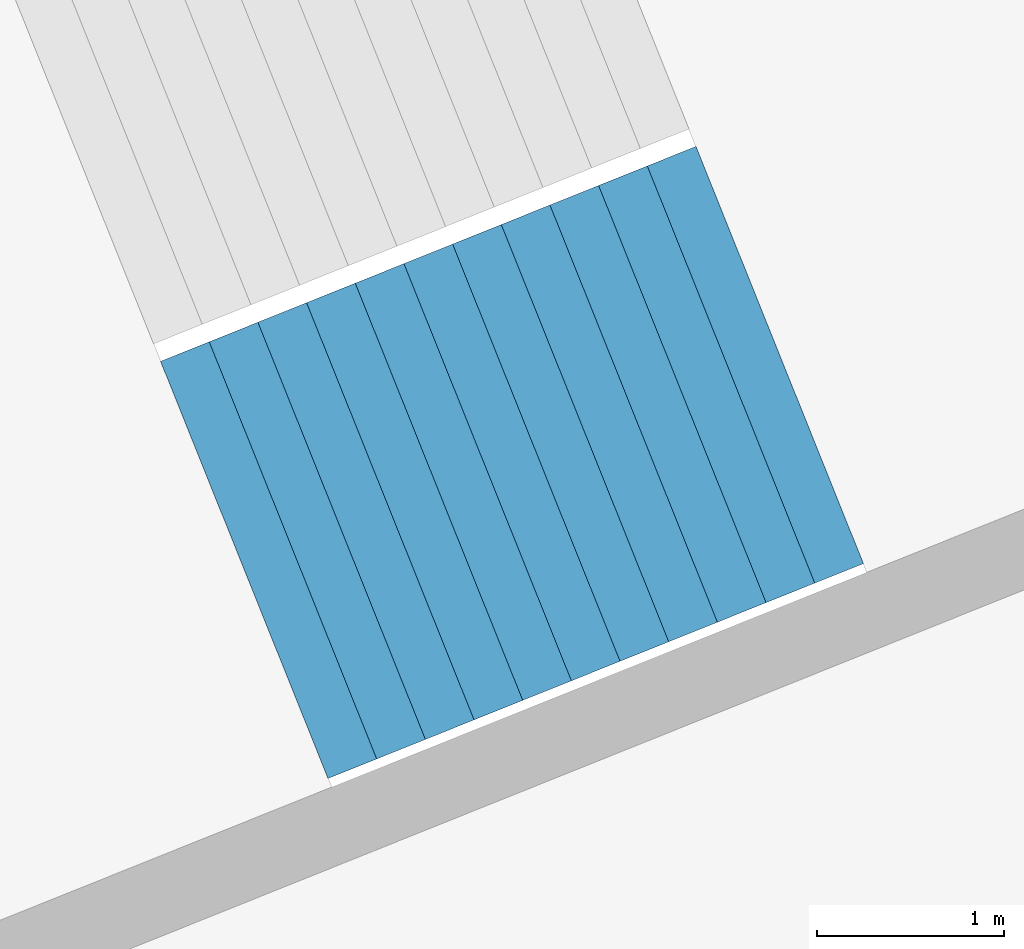
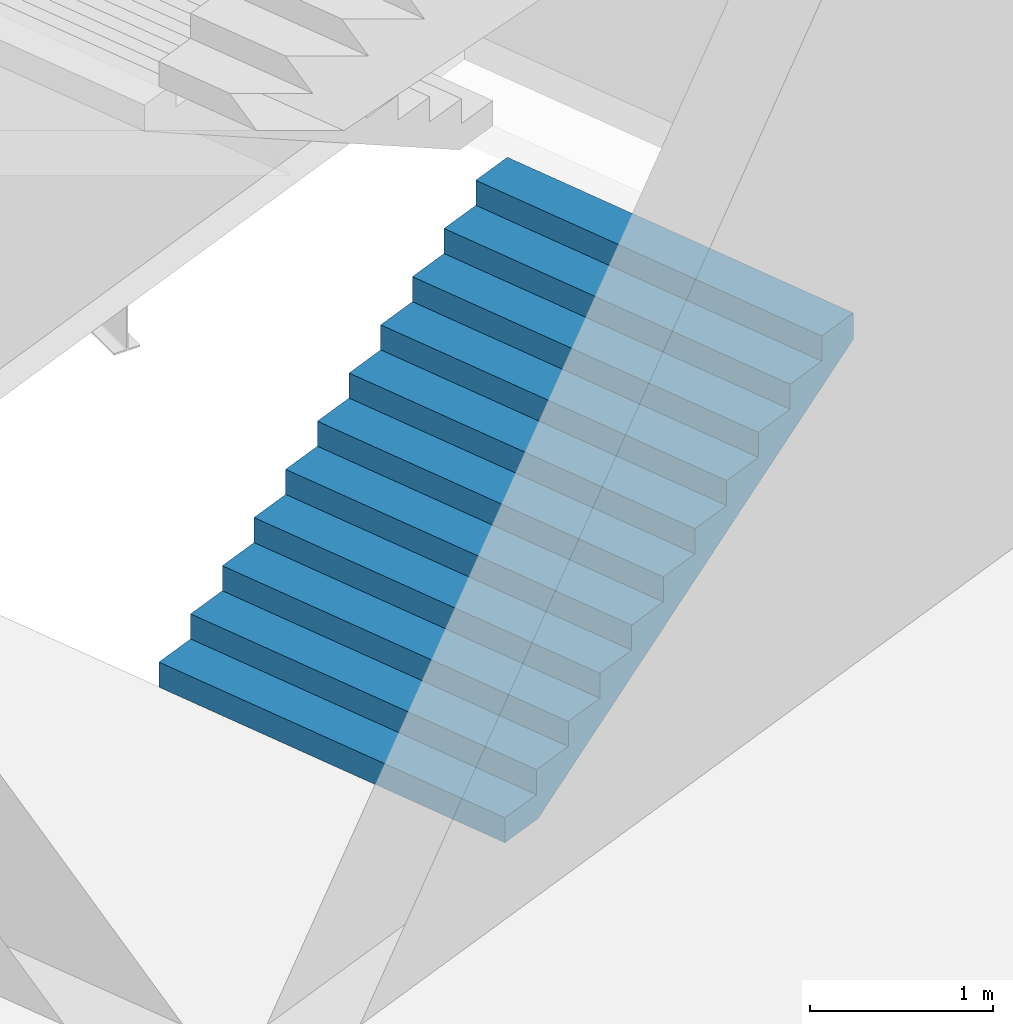
# One storey, part 66 of 74: 1 stair flight, 1 element without a shape of its own.
"""IFC4 building model written with IfcOpenShell, lengths in metres."""

from ifc_helpers import new_model, si_unit, direction, frame, origin, place, context, subcontext, project, spatial, triangles, material, type_object, element, aggregate, save


model = new_model("IFC4")

# Units and contexts
model_context = context("Model", 3, precision=1e-05, world=origin(), true_north=direction((0.0, 1.0)))
body_context = subcontext(model_context, "Body", "Model", "MODEL_VIEW")
ifc_project = project(units=[si_unit("LENGTHUNIT", "METRE"), si_unit("AREAUNIT", "SQUARE_METRE"), si_unit("VOLUMEUNIT", "CUBIC_METRE"), si_unit("PLANEANGLEUNIT", "RADIAN"), si_unit("MASSUNIT", "GRAM", prefix="KILO")], contexts=[model_context])

# Site, building, storey
site_placement = place(None, origin())
site = spatial("IfcSite", under=ifc_project, at=site_placement, CompositionType="ELEMENT")
building_placement = place(site_placement, origin())
building = spatial("IfcBuilding", under=site, at=building_placement, Name="Lantaw Convention Tower", CompositionType="ELEMENT")
storey_placement = place(building_placement, frame((0.0, 0.0, 6.5)))
storey = spatial("IfcBuildingStorey", under=building, at=storey_placement, Name="L01", CompositionType="ELEMENT", Elevation=6.5)

# Stair, stair flight
ifc_material = material(Name="Concrete C35/45", Category="concrete")
stair_type = type_object("IfcStairType", Name="Exit stair 2400 riser 166.67 in 4 flights", PredefinedType="HALF_TURN_STAIR", material=ifc_material)
stair_placement = place(storey_placement, origin())
stair = element("IfcStair", 1, at=stair_placement, inside=storey, type_object=stair_type, Name="Podium exit stair P2 L01", PredefinedType="HALF_TURN_STAIR")
stair_flight_type = type_object("IfcStairFlightType", Name="Stair flight 2400 riser 166.67", PredefinedType="STRAIGHT", material=ifc_material)
stair_flight_placement = place(storey_placement, frame((36.730712890625, 13.398193359375, 0.0), z_axis=(0.0, 0.0, 1.0), x_axis=(0.928015168305, 0.372542410198, 0.0)))
stair_flight = element("IfcStairFlight", 2, at=stair_flight_placement, type_object=stair_flight_type, Name="P2 flight 1", NumberOfRisers=12, NumberOfTreads=11, PredefinedType="STRAIGHT", RiserHeight=0.166666667, TreadLength=0.28, context=body_context, shape_type="Tessellation", body=[
    triangles([(0.0, 1.199951171875, 0.0), (0.0, 1.199951171875, 0.166666667), (0.28, 1.199951171875, 0.0), (0.28, 1.199951171875, 0.166666667), (0.28, 1.199951171875, 0.333333334), (0.29307345806906726, 1.199951171875, 0.0), (0.29307345806906726, 1.199951171875, 0.333333334), (0.56, 1.199951171875, 0.15888484670522965), (0.56, 1.199951171875, 0.333333334), (0.56, 1.199951171875, 0.500000001), (0.8400000000000001, 1.199951171875, 0.3255515137052296), (0.8400000000000001, 1.199951171875, 0.500000001), (0.8400000000000001, 1.199951171875, 0.666666668), (1.12, 1.199951171875, 0.4922181807052296), (1.12, 1.199951171875, 0.666666668), (1.12, 1.199951171875, 0.833333335), (1.4000000000000001, 1.199951171875, 0.6588848477052296), (1.4000000000000001, 1.199951171875, 0.833333335), (1.4000000000000001, 1.199951171875, 1.000000002), (1.6800000000000002, 1.199951171875, 0.8255515147052296), (1.6800000000000002, 1.199951171875, 1.000000002), (1.6800000000000002, 1.199951171875, 1.166666669), (1.9600000000000002, 1.199951171875, 0.9922181817052296), (1.9600000000000002, 1.199951171875, 1.166666669), (1.9600000000000002, 1.199951171875, 1.333333336), (2.24, 1.199951171875, 1.1588848487052295), (2.24, 1.199951171875, 1.333333336), (2.24, 1.199951171875, 1.5000000029999998), (2.5200000000000005, 1.199951171875, 1.3255515157052296), (2.5200000000000005, 1.199951171875, 1.5000000029999998), (2.5200000000000005, 1.199951171875, 1.66666667), (2.8000000000000003, 1.199951171875, 1.4922181827052294), (2.8000000000000003, 1.199951171875, 1.66666667), (2.8000000000000003, 1.199951171875, 1.833333337), (3.08, 1.199951171875, 1.6588848497052293), (3.08, 1.199951171875, 1.833333337), (0.0, -1.199951171875, 0.0), (0.0, -1.199951171875, 0.166666667), (0.28, -1.199951171875, 0.0), (0.28, -1.199951171875, 0.166666667), (0.28, -1.199951171875, 0.333333334), (0.29307345806906726, -1.199951171875, 0.0), (0.29307345806906726, -1.199951171875, 0.333333334), (0.56, -1.199951171875, 0.15888484670522965), (0.56, -1.199951171875, 0.333333334), (0.56, -1.199951171875, 0.500000001), (0.8400000000000001, -1.199951171875, 0.3255515137052296), (0.8400000000000001, -1.199951171875, 0.500000001), (0.8400000000000001, -1.199951171875, 0.666666668), (1.12, -1.199951171875, 0.4922181807052296), (1.12, -1.199951171875, 0.666666668), (1.12, -1.199951171875, 0.833333335), (1.4000000000000001, -1.199951171875, 0.6588848477052296), (1.4000000000000001, -1.199951171875, 0.833333335), (1.4000000000000001, -1.199951171875, 1.000000002), (1.6800000000000002, -1.199951171875, 0.8255515147052296), (1.6800000000000002, -1.199951171875, 1.000000002), (1.6800000000000002, -1.199951171875, 1.166666669), (1.9600000000000002, -1.199951171875, 0.9922181817052296), (1.9600000000000002, -1.199951171875, 1.166666669), (1.9600000000000002, -1.199951171875, 1.333333336), (2.24, -1.199951171875, 1.1588848487052295), (2.24, -1.199951171875, 1.333333336), (2.24, -1.199951171875, 1.5000000029999998), (2.5200000000000005, -1.199951171875, 1.3255515157052296), (2.5200000000000005, -1.199951171875, 1.5000000029999998), (2.5200000000000005, -1.199951171875, 1.66666667), (2.8000000000000003, -1.199951171875, 1.4922181827052294), (2.8000000000000003, -1.199951171875, 1.66666667), (2.8000000000000003, -1.199951171875, 1.833333337), (3.08, -1.199951171875, 1.6588848497052293), (3.08, -1.199951171875, 1.833333337), (0.0, 0.239990234375, 0.166666667), (0.0, 0.239990234375, 0.0), (0.0, 0.1199951171875, 0.166666667), (0.0, 0.1199951171875, 0.0), (0.0, 0.0, 0.166666667), (0.0, 0.0, 0.0), (0.0, -0.1199951171875, 0.166666667), (0.0, -0.1199951171875, 0.0), (0.0, -0.239990234375, 0.166666667), (0.0, -0.239990234375, 0.0), (0.28, 0.239990234375, 0.333333334), (0.28, 0.239990234375, 0.166666667), (0.28, 0.1199951171875, 0.333333334), (0.28, 0.1199951171875, 0.166666667), (0.28, 0.0, 0.333333334), (0.28, 0.0, 0.166666667), (0.28, -0.1199951171875, 0.333333334), (0.28, -0.1199951171875, 0.166666667), (0.28, -0.239990234375, 0.333333334), (0.28, -0.239990234375, 0.166666667), (0.56, 0.239990234375, 0.500000001), (0.56, 0.239990234375, 0.333333334), (0.56, 0.1199951171875, 0.500000001), (0.56, 0.1199951171875, 0.333333334), (0.56, 0.0, 0.500000001), (0.56, 0.0, 0.333333334), (0.56, -0.1199951171875, 0.500000001), (0.56, -0.1199951171875, 0.333333334), (0.56, -0.239990234375, 0.500000001), (0.56, -0.239990234375, 0.333333334), (0.8400000000000001, 0.239990234375, 0.666666668), (0.8400000000000001, 0.239990234375, 0.500000001), (0.8400000000000001, 0.1199951171875, 0.666666668), (0.8400000000000001, 0.1199951171875, 0.500000001), (0.8400000000000001, 0.0, 0.666666668), (0.8400000000000001, 0.0, 0.500000001), (0.8400000000000001, -0.1199951171875, 0.666666668), (0.8400000000000001, -0.1199951171875, 0.500000001), (0.8400000000000001, -0.239990234375, 0.666666668), (0.8400000000000001, -0.239990234375, 0.500000001), (1.12, 0.239990234375, 0.833333335), (1.12, 0.239990234375, 0.666666668), (1.12, 0.1199951171875, 0.833333335), (1.12, 0.1199951171875, 0.666666668), (1.12, 0.0, 0.833333335), (1.12, 0.0, 0.666666668), (1.12, -0.1199951171875, 0.833333335), (1.12, -0.1199951171875, 0.666666668), (1.12, -0.239990234375, 0.833333335), (1.12, -0.239990234375, 0.666666668), (1.4000000000000001, 0.239990234375, 1.000000002), (1.4000000000000001, 0.239990234375, 0.833333335), (1.4000000000000001, 0.1199951171875, 1.000000002), (1.4000000000000001, 0.1199951171875, 0.833333335), (1.4000000000000001, 0.0, 1.000000002), (1.4000000000000001, 0.0, 0.833333335), (1.4000000000000001, -0.1199951171875, 1.000000002), (1.4000000000000001, -0.1199951171875, 0.833333335), (1.4000000000000001, -0.239990234375, 1.000000002), (1.4000000000000001, -0.239990234375, 0.833333335), (1.6800000000000002, 0.239990234375, 1.166666669), (1.6800000000000002, 0.239990234375, 1.000000002), (1.6800000000000002, 0.1199951171875, 1.166666669), (1.6800000000000002, 0.1199951171875, 1.000000002), (1.6800000000000002, 0.0, 1.166666669), (1.6800000000000002, 0.0, 1.000000002), (1.6800000000000002, -0.1199951171875, 1.166666669), (1.6800000000000002, -0.1199951171875, 1.000000002), (1.6800000000000002, -0.239990234375, 1.166666669), (1.6800000000000002, -0.239990234375, 1.000000002), (1.9600000000000002, 0.239990234375, 1.333333336), (1.9600000000000002, 0.239990234375, 1.166666669), (1.9600000000000002, 0.1199951171875, 1.333333336), (1.9600000000000002, 0.1199951171875, 1.166666669), (1.9600000000000002, 0.0, 1.333333336), (1.9600000000000002, 0.0, 1.166666669), (1.9600000000000002, -0.1199951171875, 1.333333336), (1.9600000000000002, -0.1199951171875, 1.166666669), (1.9600000000000002, -0.239990234375, 1.333333336), (1.9600000000000002, -0.239990234375, 1.166666669), (2.24, 0.239990234375, 1.5000000029999998), (2.24, 0.239990234375, 1.333333336), (2.24, 0.1199951171875, 1.5000000029999998), (2.24, 0.1199951171875, 1.333333336), (2.24, 0.0, 1.5000000029999998), (2.24, 0.0, 1.333333336), (2.24, -0.1199951171875, 1.5000000029999998), (2.24, -0.1199951171875, 1.333333336), (2.24, -0.239990234375, 1.5000000029999998), (2.24, -0.239990234375, 1.333333336), (2.5200000000000005, 0.239990234375, 1.66666667), (2.5200000000000005, 0.239990234375, 1.5000000029999998), (2.5200000000000005, 0.1199951171875, 1.66666667), (2.5200000000000005, 0.1199951171875, 1.5000000029999998), (2.5200000000000005, 0.0, 1.66666667), (2.5200000000000005, 0.0, 1.5000000029999998), (2.5200000000000005, -0.1199951171875, 1.66666667), (2.5200000000000005, -0.1199951171875, 1.5000000029999998), (2.5200000000000005, -0.239990234375, 1.66666667), (2.5200000000000005, -0.239990234375, 1.5000000029999998), (2.8000000000000003, 0.239990234375, 1.833333337), (2.8000000000000003, 0.239990234375, 1.66666667), (2.8000000000000003, 0.1199951171875, 1.833333337), (2.8000000000000003, 0.1199951171875, 1.66666667), (2.8000000000000003, 0.0, 1.833333337), (2.8000000000000003, 0.0, 1.66666667), (2.8000000000000003, -0.1199951171875, 1.833333337), (2.8000000000000003, -0.1199951171875, 1.66666667), (2.8000000000000003, -0.239990234375, 1.833333337), (2.8000000000000003, -0.239990234375, 1.66666667), (0.29307345806906726, 0.239990234375, 0.333333334), (0.29307345806906726, 0.1199951171875, 0.333333334), (0.29307345806906726, 0.0, 0.333333334), (0.29307345806906726, -0.1199951171875, 0.333333334), (0.29307345806906726, -0.239990234375, 0.333333334), (3.08, 0.239990234375, 1.833333337), (3.08, 0.1199951171875, 1.833333337), (3.08, 0.0, 1.833333337), (3.08, -0.1199951171875, 1.833333337), (3.08, -0.239990234375, 1.833333337), (3.08, 0.239990234375, 1.6588848497052293), (3.08, 0.1199951171875, 1.6588848497052293), (3.08, 0.0, 1.6588848497052293), (3.08, -0.1199951171875, 1.6588848497052293), (3.08, -0.239990234375, 1.6588848497052293), (2.8000000000000003, 0.239990234375, 1.4922181827052294), (2.8000000000000003, 0.1199951171875, 1.4922181827052294), (2.8000000000000003, 0.0, 1.4922181827052294), (2.8000000000000003, -0.1199951171875, 1.4922181827052294), (2.8000000000000003, -0.239990234375, 1.4922181827052294), (2.5200000000000005, 0.239990234375, 1.3255515157052296), (2.5200000000000005, 0.1199951171875, 1.3255515157052296), (2.5200000000000005, 0.0, 1.3255515157052296), (2.5200000000000005, -0.1199951171875, 1.3255515157052296), (2.5200000000000005, -0.239990234375, 1.3255515157052296), (2.24, 0.239990234375, 1.1588848487052295), (2.24, 0.1199951171875, 1.1588848487052295), (2.24, 0.0, 1.1588848487052295), (2.24, -0.1199951171875, 1.1588848487052295), (2.24, -0.239990234375, 1.1588848487052295), (1.9600000000000002, 0.239990234375, 0.9922181817052296), (1.9600000000000002, 0.1199951171875, 0.9922181817052296), (1.9600000000000002, 0.0, 0.9922181817052296), (1.9600000000000002, -0.1199951171875, 0.9922181817052296), (1.9600000000000002, -0.239990234375, 0.9922181817052296), (1.6800000000000002, 0.239990234375, 0.8255515147052296), (1.6800000000000002, 0.1199951171875, 0.8255515147052296), (1.6800000000000002, 0.0, 0.8255515147052296), (1.6800000000000002, -0.1199951171875, 0.8255515147052296), (1.6800000000000002, -0.239990234375, 0.8255515147052296), (1.4000000000000001, 0.239990234375, 0.6588848477052296), (1.4000000000000001, 0.1199951171875, 0.6588848477052296), (1.4000000000000001, 0.0, 0.6588848477052296), (1.4000000000000001, -0.1199951171875, 0.6588848477052296), (1.4000000000000001, -0.239990234375, 0.6588848477052296), (1.12, 0.239990234375, 0.4922181807052296), (1.12, 0.1199951171875, 0.4922181807052296), (1.12, 0.0, 0.4922181807052296), (1.12, -0.1199951171875, 0.4922181807052296), (1.12, -0.239990234375, 0.4922181807052296), (0.8400000000000001, 0.239990234375, 0.3255515137052296), (0.8400000000000001, 0.1199951171875, 0.3255515137052296), (0.8400000000000001, 0.0, 0.3255515137052296), (0.8400000000000001, -0.1199951171875, 0.3255515137052296), (0.8400000000000001, -0.239990234375, 0.3255515137052296), (0.56, 0.239990234375, 0.15888484670522965), (0.56, 0.1199951171875, 0.15888484670522965), (0.56, 0.0, 0.15888484670522965), (0.56, -0.1199951171875, 0.15888484670522965), (0.56, -0.239990234375, 0.15888484670522965), (0.29307345806906726, 0.239990234375, 0.0), (0.29307345806906726, 0.1199951171875, 0.0), (0.29307345806906726, 0.0, 0.0), (0.29307345806906726, -0.1199951171875, 0.0), (0.29307345806906726, -0.239990234375, 0.0), (0.28, 0.239990234375, 0.0), (0.28, 0.1199951171875, 0.0), (0.28, 0.0, 0.0), (0.28, -0.1199951171875, 0.0), (0.28, -0.239990234375, 0.0)], [[1, 4, 3], [1, 2, 4], [3, 4, 6], [4, 7, 6], [4, 5, 7], [6, 9, 8], [6, 7, 9], [8, 9, 11], [9, 12, 11], [9, 10, 12], [11, 12, 14], [12, 15, 14], [12, 13, 15], [14, 15, 17], [15, 18, 17], [15, 16, 18], [17, 18, 20], [18, 21, 20], [18, 19, 21], [20, 21, 23], [21, 24, 23], [21, 22, 24], [23, 24, 26], [24, 27, 26], [24, 25, 27], [26, 27, 29], [27, 30, 29], [27, 28, 30], [29, 30, 32], [30, 33, 32], [30, 31, 33], [32, 33, 35], [33, 36, 35], [33, 34, 36], [37, 39, 40], [37, 40, 38], [39, 42, 40], [40, 42, 43], [40, 43, 41], [42, 44, 45], [42, 45, 43], [44, 47, 45], [45, 47, 48], [45, 48, 46], [47, 50, 48], [48, 50, 51], [48, 51, 49], [50, 53, 51], [51, 53, 54], [51, 54, 52], [53, 56, 54], [54, 56, 57], [54, 57, 55], [56, 59, 57], [57, 59, 60], [57, 60, 58], [59, 62, 60], [60, 62, 63], [60, 63, 61], [62, 65, 63], [63, 65, 66], [63, 66, 64], [65, 68, 66], [66, 68, 69], [66, 69, 67], [68, 71, 69], [69, 71, 72], [69, 72, 70], [1, 73, 2], [1, 74, 73], [74, 75, 73], [74, 76, 75], [76, 77, 75], [76, 78, 77], [78, 79, 77], [78, 80, 79], [80, 81, 79], [80, 82, 81], [82, 38, 81], [82, 37, 38], [4, 83, 5], [4, 84, 83], [84, 85, 83], [84, 86, 85], [86, 87, 85], [86, 88, 87], [88, 89, 87], [88, 90, 89], [90, 91, 89], [90, 92, 91], [92, 41, 91], [92, 40, 41], [9, 93, 10], [9, 94, 93], [94, 95, 93], [94, 96, 95], [96, 97, 95], [96, 98, 97], [98, 99, 97], [98, 100, 99], [100, 101, 99], [100, 102, 101], [102, 46, 101], [102, 45, 46], [12, 103, 13], [12, 104, 103], [104, 105, 103], [104, 106, 105], [106, 107, 105], [106, 108, 107], [108, 109, 107], [108, 110, 109], [110, 111, 109], [110, 112, 111], [112, 49, 111], [112, 48, 49], [15, 113, 16], [15, 114, 113], [114, 115, 113], [114, 116, 115], [116, 117, 115], [116, 118, 117], [118, 119, 117], [118, 120, 119], [120, 121, 119], [120, 122, 121], [122, 52, 121], [122, 51, 52], [18, 123, 19], [18, 124, 123], [124, 125, 123], [124, 126, 125], [126, 127, 125], [126, 128, 127], [128, 129, 127], [128, 130, 129], [130, 131, 129], [130, 132, 131], [132, 55, 131], [132, 54, 55], [21, 133, 22], [21, 134, 133], [134, 135, 133], [134, 136, 135], [136, 137, 135], [136, 138, 137], [138, 139, 137], [138, 140, 139], [140, 141, 139], [140, 142, 141], [142, 58, 141], [142, 57, 58], [24, 143, 25], [24, 144, 143], [144, 145, 143], [144, 146, 145], [146, 147, 145], [146, 148, 147], [148, 149, 147], [148, 150, 149], [150, 151, 149], [150, 152, 151], [152, 61, 151], [152, 60, 61], [27, 153, 28], [27, 154, 153], [154, 155, 153], [154, 156, 155], [156, 157, 155], [156, 158, 157], [158, 159, 157], [158, 160, 159], [160, 161, 159], [160, 162, 161], [162, 64, 161], [162, 63, 64], [30, 163, 31], [30, 164, 163], [164, 165, 163], [164, 166, 165], [166, 167, 165], [166, 168, 167], [168, 169, 167], [168, 170, 169], [170, 171, 169], [170, 172, 171], [172, 67, 171], [172, 66, 67], [33, 173, 34], [33, 174, 173], [174, 175, 173], [174, 176, 175], [176, 177, 175], [176, 178, 177], [178, 179, 177], [178, 180, 179], [180, 181, 179], [180, 182, 181], [182, 70, 181], [182, 69, 70], [2, 84, 4], [2, 73, 84], [73, 86, 84], [73, 75, 86], [75, 88, 86], [75, 77, 88], [77, 90, 88], [77, 79, 90], [79, 92, 90], [79, 81, 92], [81, 40, 92], [81, 38, 40], [5, 183, 7], [5, 83, 183], [83, 184, 183], [83, 85, 184], [85, 185, 184], [85, 87, 185], [87, 186, 185], [87, 89, 186], [89, 187, 186], [89, 91, 187], [91, 43, 187], [91, 41, 43], [7, 94, 9], [7, 183, 94], [183, 96, 94], [183, 184, 96], [184, 98, 96], [184, 185, 98], [185, 100, 98], [185, 186, 100], [186, 102, 100], [186, 187, 102], [187, 45, 102], [187, 43, 45], [10, 104, 12], [10, 93, 104], [93, 106, 104], [93, 95, 106], [95, 108, 106], [95, 97, 108], [97, 110, 108], [97, 99, 110], [99, 112, 110], [99, 101, 112], [101, 48, 112], [101, 46, 48], [13, 114, 15], [13, 103, 114], [103, 116, 114], [103, 105, 116], [105, 118, 116], [105, 107, 118], [107, 120, 118], [107, 109, 120], [109, 122, 120], [109, 111, 122], [111, 51, 122], [111, 49, 51], [16, 124, 18], [16, 113, 124], [113, 126, 124], [113, 115, 126], [115, 128, 126], [115, 117, 128], [117, 130, 128], [117, 119, 130], [119, 132, 130], [119, 121, 132], [121, 54, 132], [121, 52, 54], [19, 134, 21], [19, 123, 134], [123, 136, 134], [123, 125, 136], [125, 138, 136], [125, 127, 138], [127, 140, 138], [127, 129, 140], [129, 142, 140], [129, 131, 142], [131, 57, 142], [131, 55, 57], [22, 144, 24], [22, 133, 144], [133, 146, 144], [133, 135, 146], [135, 148, 146], [135, 137, 148], [137, 150, 148], [137, 139, 150], [139, 152, 150], [139, 141, 152], [141, 60, 152], [141, 58, 60], [25, 154, 27], [25, 143, 154], [143, 156, 154], [143, 145, 156], [145, 158, 156], [145, 147, 158], [147, 160, 158], [147, 149, 160], [149, 162, 160], [149, 151, 162], [151, 63, 162], [151, 61, 63], [28, 164, 30], [28, 153, 164], [153, 166, 164], [153, 155, 166], [155, 168, 166], [155, 157, 168], [157, 170, 168], [157, 159, 170], [159, 172, 170], [159, 161, 172], [161, 66, 172], [161, 64, 66], [31, 174, 33], [31, 163, 174], [163, 176, 174], [163, 165, 176], [165, 178, 176], [165, 167, 178], [167, 180, 178], [167, 169, 180], [169, 182, 180], [169, 171, 182], [171, 69, 182], [171, 67, 69], [34, 188, 36], [34, 173, 188], [173, 189, 188], [173, 175, 189], [175, 190, 189], [175, 177, 190], [177, 191, 190], [177, 179, 191], [179, 192, 191], [179, 181, 192], [181, 72, 192], [181, 70, 72], [36, 193, 35], [36, 188, 193], [188, 194, 193], [188, 189, 194], [189, 195, 194], [189, 190, 195], [190, 196, 195], [190, 191, 196], [191, 197, 196], [191, 192, 197], [192, 71, 197], [192, 72, 71], [35, 198, 32], [35, 193, 198], [193, 199, 198], [193, 194, 199], [194, 200, 199], [194, 195, 200], [195, 201, 200], [195, 196, 201], [196, 202, 201], [196, 197, 202], [197, 68, 202], [197, 71, 68], [32, 203, 29], [32, 198, 203], [198, 204, 203], [198, 199, 204], [199, 205, 204], [199, 200, 205], [200, 206, 205], [200, 201, 206], [201, 207, 206], [201, 202, 207], [202, 65, 207], [202, 68, 65], [29, 208, 26], [29, 203, 208], [203, 209, 208], [203, 204, 209], [204, 210, 209], [204, 205, 210], [205, 211, 210], [205, 206, 211], [206, 212, 211], [206, 207, 212], [207, 62, 212], [207, 65, 62], [26, 213, 23], [26, 208, 213], [208, 214, 213], [208, 209, 214], [209, 215, 214], [209, 210, 215], [210, 216, 215], [210, 211, 216], [211, 217, 216], [211, 212, 217], [212, 59, 217], [212, 62, 59], [23, 218, 20], [23, 213, 218], [213, 219, 218], [213, 214, 219], [214, 220, 219], [214, 215, 220], [215, 221, 220], [215, 216, 221], [216, 222, 221], [216, 217, 222], [217, 56, 222], [217, 59, 56], [20, 223, 17], [20, 218, 223], [218, 224, 223], [218, 219, 224], [219, 225, 224], [219, 220, 225], [220, 226, 225], [220, 221, 226], [221, 227, 226], [221, 222, 227], [222, 53, 227], [222, 56, 53], [17, 228, 14], [17, 223, 228], [223, 229, 228], [223, 224, 229], [224, 230, 229], [224, 225, 230], [225, 231, 230], [225, 226, 231], [226, 232, 231], [226, 227, 232], [227, 50, 232], [227, 53, 50], [14, 233, 11], [14, 228, 233], [228, 234, 233], [228, 229, 234], [229, 235, 234], [229, 230, 235], [230, 236, 235], [230, 231, 236], [231, 237, 236], [231, 232, 237], [232, 47, 237], [232, 50, 47], [11, 238, 8], [11, 233, 238], [233, 239, 238], [233, 234, 239], [234, 240, 239], [234, 235, 240], [235, 241, 240], [235, 236, 241], [236, 242, 241], [236, 237, 242], [237, 44, 242], [237, 47, 44], [8, 243, 6], [8, 238, 243], [238, 244, 243], [238, 239, 244], [239, 245, 244], [239, 240, 245], [240, 246, 245], [240, 241, 246], [241, 247, 246], [241, 242, 247], [242, 42, 247], [242, 44, 42], [6, 248, 3], [6, 243, 248], [243, 249, 248], [243, 244, 249], [244, 250, 249], [244, 245, 250], [245, 251, 250], [245, 246, 251], [246, 252, 251], [246, 247, 252], [247, 39, 252], [247, 42, 39], [3, 74, 1], [3, 248, 74], [248, 76, 74], [248, 249, 76], [249, 78, 76], [249, 250, 78], [250, 80, 78], [250, 251, 80], [251, 82, 80], [251, 252, 82], [252, 37, 82], [252, 39, 37]], closed=True),
])
aggregate(stair, [stair_flight])

save(model, "model.ifc")
